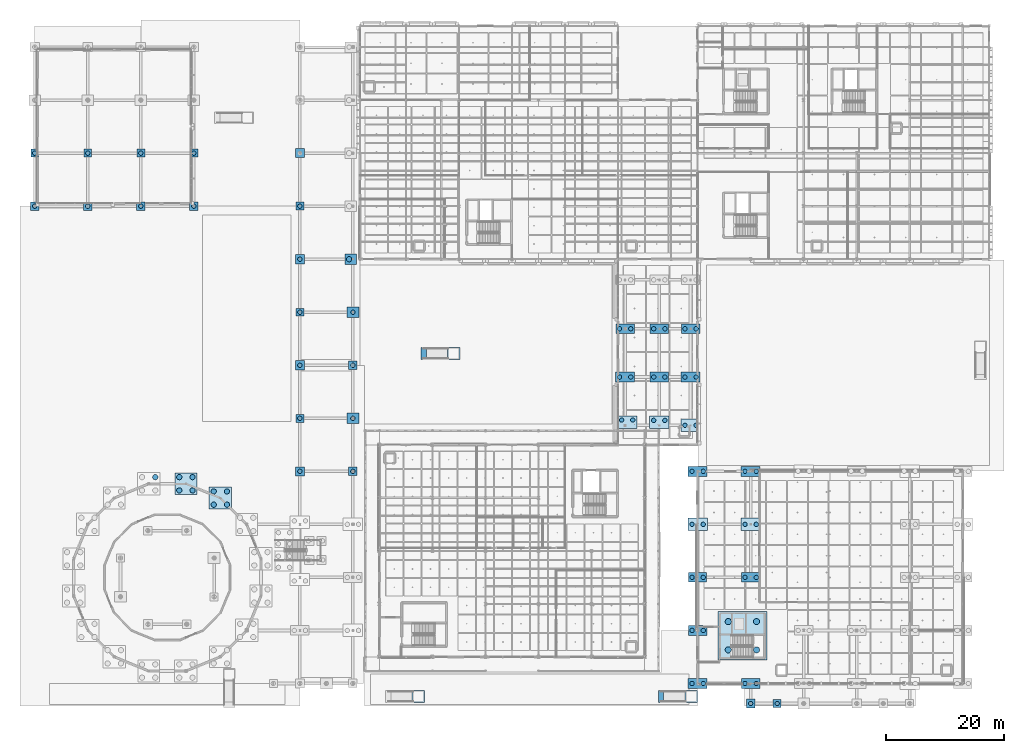
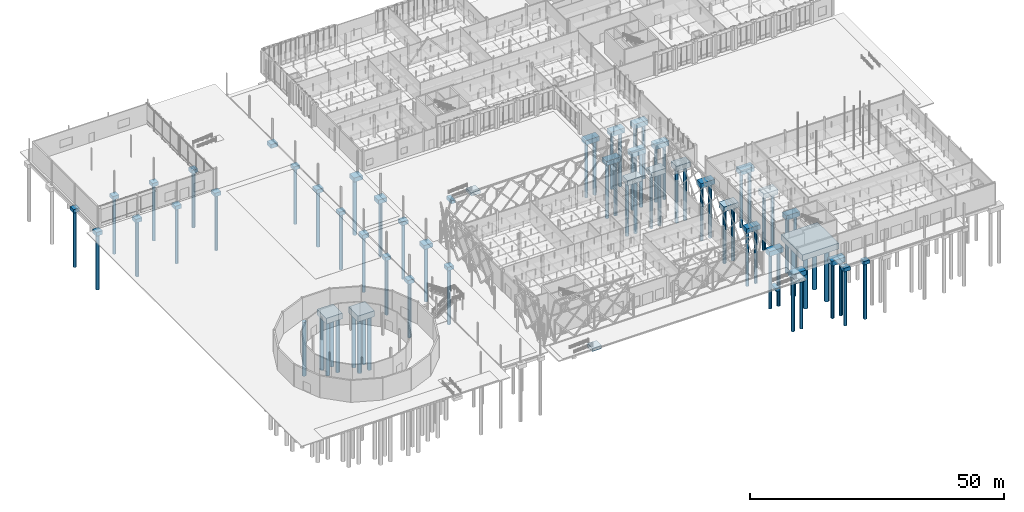
# One storey, part 2 of 180: 70 piles, 48 footings.
"""IFC4 building model written with IfcOpenShell, lengths in metres."""

from ifc_helpers import new_model, si_unit, direction, frame, origin, origin_2d, place, context, subcontext, project, spatial, rectangle, circle, extrude, material, material_profile, profile_set, type_object, element, save


model = new_model("IFC4")

# Units and contexts
model_context = context("Model", 3, precision=1e-05, world=origin(), true_north=direction((0.0, 1.0)))
body_context = subcontext(model_context, "Body", "Model", "MODEL_VIEW")
ifc_project = project(units=[si_unit("LENGTHUNIT", "METRE"), si_unit("AREAUNIT", "SQUARE_METRE"), si_unit("VOLUMEUNIT", "CUBIC_METRE"), si_unit("PLANEANGLEUNIT", "RADIAN"), si_unit("MASSUNIT", "GRAM", prefix="KILO"), si_unit("THERMODYNAMICTEMPERATUREUNIT", "KELVIN"), si_unit("POWERUNIT", "WATT")], contexts=[model_context])

# Site, building, storey
site_placement = place(None, origin())
site = spatial("IfcSite", under=ifc_project, at=site_placement, CompositionType="ELEMENT")
building_placement = place(site_placement, origin())
building = spatial("IfcBuilding", under=site, at=building_placement, Name="Tallowbark Science Centre", CompositionType="ELEMENT")
storey_placement = place(building_placement, origin())
storey = spatial("IfcBuildingStorey", under=building, at=storey_placement, Name="L00", CompositionType="ELEMENT", Elevation=0.0)

# Footings
ifc_material = material(Name="Concrete Grade N40 (40 MPa)", Category="concrete")
footing_type_1 = type_object("IfcFootingType", Name="FTG-CORE-C6", PredefinedType="PILE_CAP", material=ifc_material)
footing_1_placement = place(storey_placement, frame((120.10009765625, 8.10009765625, -1.639892578125), z_axis=(0.0, 0.0, 1.0), x_axis=(1.0, 0.0, 0.0)))
element("IfcFooting", 1, at=footing_1_placement, inside=storey, type_object=footing_type_1, Name="Core Mat Pile Cap C6", PredefinedType="PILE_CAP", context=body_context, shape_type="SweptSolid", body=[
    extrude(rectangle(XDim=8.300048828125, YDim=8.300048828125, at=origin_2d()), origin(), (0.0, 0.0, 1.0), 1.39990234375),
])
footing_type_2 = type_object("IfcFootingType", Name="FTG-PC1-130", PredefinedType="PILE_CAP", material=ifc_material)
for number, where, z_axis, x_axis, name in (
    (2, (45.0, 45.0, -1.110107421875), (0.0, 0.0, 1.0), (1.0, 0.0, 0.0), "Pile Cap PAS-W05"),
    (3, (45.0, 63.0, -1.110107421875), (0.0, 0.0, 1.0), (1.0, 0.0, 0.0), "Pile Cap PAS-W07"),
    (4, (45.0, 81.0, -1.110107421875), (0.0, 0.0, 1.0), (1.0, 0.0, 0.0), "Pile Cap PAS-W09"),
    (5, (126.0, -3.39990234375, -1.090087890625), (0.0, 0.0, 1.0), (1.0, 0.0, 0.0), "Pile Cap THT-POR-01"),
    (6, (0.0, 90.0, -1.110107421875), (0.0, 0.0, 1.0), (1.0, 0.0, 0.0), "Pile Cap PRK-0_1"),
    (7, (9.0, 90.0, -1.110107421875), (0.0, 0.0, 1.0), (1.0, 0.0, 0.0), "Pile Cap PRK-1_1"),
    (8, (18.0, 90.0, -1.110107421875), (0.0, 0.0, 1.0), (1.0, 0.0, 0.0), "Pile Cap PRK-2_1"),
    (9, (27.0, 90.0, -1.110107421875), (0.0, 0.0, 1.0), (1.0, 0.0, 0.0), "Pile Cap PRK-3_1"),
):
    element("IfcFooting", number, at=place(storey_placement, frame(where, z_axis=z_axis, x_axis=x_axis)), inside=storey, type_object=footing_type_2, Name=name, PredefinedType="PILE_CAP", context=body_context, shape_type="SweptSolid", body=[
        extrude(rectangle(XDim=1.35009765625, YDim=1.35009765625, at=origin_2d()), origin(), (0.0, 0.0, 1.0), 0.85009765625),
    ])
footing_type_3 = type_object("IfcFootingType", Name="FTG-PC1-140", PredefinedType="PILE_CAP", material=ifc_material)
for number, where, z_axis, x_axis, name in (
    (10, (54.0, 36.0, -1.159912109375), (0.0, 0.0, 1.0), (1.0, 0.0, 0.0), "Pile Cap PAS-E04"),
    (11, (54.0, 54.0, -1.159912109375), (0.0, 0.0, 1.0), (1.0, 0.0, 0.0), "Pile Cap PAS-E06"),
    (12, (121.5, -3.39990234375, -1.139892578125), (0.0, 0.0, 1.0), (1.0, 0.0, 0.0), "Pile Cap THT-POR-00"),
    (13, (0.0, 81.0, -1.159912109375), (0.0, 0.0, 1.0), (1.0, 0.0, 0.0), "Pile Cap PRK-0_0"),
    (14, (9.0, 81.0, -1.159912109375), (0.0, 0.0, 1.0), (1.0, 0.0, 0.0), "Pile Cap PRK-1_0"),
    (15, (18.0, 81.0, -1.159912109375), (0.0, 0.0, 1.0), (1.0, 0.0, 0.0), "Pile Cap PRK-2_0"),
    (16, (27.0, 81.0, -1.159912109375), (0.0, 0.0, 1.0), (1.0, 0.0, 0.0), "Pile Cap PRK-3_0"),
):
    element("IfcFooting", number, at=place(storey_placement, frame(where, z_axis=z_axis, x_axis=x_axis)), inside=storey, type_object=footing_type_3, Name=name, PredefinedType="PILE_CAP", context=body_context, shape_type="SweptSolid", body=[
        extrude(rectangle(XDim=1.449951171875, YDim=1.449951171875, at=origin_2d()), origin(), (0.0, 0.0, 1.0), 0.89990234375),
    ])
footing_type_4 = type_object("IfcFootingType", Name="FTG-PC1-150", PredefinedType="PILE_CAP", material=ifc_material)
for number, where, z_axis, x_axis, name in (
    (17, (45.0, 36.0, -1.2099609375), (0.0, 0.0, 1.0), (1.0, 0.0, 0.0), "Pile Cap PAS-W04"),
    (18, (45.0, 54.0, -1.2099609375), (0.0, 0.0, 1.0), (1.0, 0.0, 0.0), "Pile Cap PAS-W06"),
    (19, (45.0, 72.0, -1.2099609375), (0.0, 0.0, 1.0), (1.0, 0.0, 0.0), "Pile Cap PAS-W08"),
    (20, (45.0, 90.0, -1.2099609375), (0.0, 0.0, 1.0), (1.0, 0.0, 0.0), "Pile Cap PAS-W10"),
):
    element("IfcFooting", number, at=place(storey_placement, frame(where, z_axis=z_axis, x_axis=x_axis)), inside=storey, type_object=footing_type_4, Name=name, PredefinedType="PILE_CAP", context=body_context, shape_type="SweptSolid", body=[
        extrude(rectangle(XDim=1.550048828125, YDim=1.550048828125, at=origin_2d()), origin(), (0.0, 0.0, 1.0), 0.949951171875),
    ])
footing_type_5 = type_object("IfcFootingType", Name="FTG-PC1-160", PredefinedType="PILE_CAP", material=ifc_material)
for number, where, z_axis, x_axis, name in (
    (21, (54.0, 45.0, -1.260009765625), (0.0, 0.0, 1.0), (1.0, 0.0, 0.0), "Pile Cap PAS-E05"),
    (22, (54.0, 63.0, -1.260009765625), (0.0, 0.0, 1.0), (1.0, 0.0, 0.0), "Pile Cap PAS-E07"),
    (23, (53.64990234375, 72.0, -1.260009765625), (0.0, 0.0, 1.0), (1.0, 0.0, 0.0), "Pile Cap PAS-E08"),
):
    element("IfcFooting", number, at=place(storey_placement, frame(where, z_axis=z_axis, x_axis=x_axis)), inside=storey, type_object=footing_type_5, Name=name, PredefinedType="PILE_CAP", context=body_context, shape_type="SweptSolid", body=[
        extrude(rectangle(XDim=2.0, YDim=1.800048828125, at=origin_2d()), origin(), (0.0, 0.0, 1.0), 1.0),
    ])
footing_type_6 = type_object("IfcFootingType", Name="FTG-PC2-230", PredefinedType="PILE_CAP", material=ifc_material)
for number, where, z_axis, x_axis, name in (
    (24, (112.5, 18.0, -1.340087890625), (0.0, 0.0, 1.0), (1.0, 0.0, 0.0), "Pile Cap THT-M0_2"),
    (25, (121.5, 18.0, -1.340087890625), (0.0, 0.0, 1.0), (1.0, 0.0, 0.0), "Pile Cap THT-M1_2"),
):
    element("IfcFooting", number, at=place(storey_placement, frame(where, z_axis=z_axis, x_axis=x_axis)), inside=storey, type_object=footing_type_6, Name=name, PredefinedType="PILE_CAP", context=body_context, shape_type="SweptSolid", body=[
        extrude(rectangle(XDim=3.10009765625, YDim=1.60009765625, at=origin_2d()), origin(), (0.0, 0.0, 1.0), 1.10009765625),
    ])
footing_type_7 = type_object("IfcFootingType", Name="FTG-PC2-240", PredefinedType="PILE_CAP", material=ifc_material)
for number, where, z_axis, x_axis, name in (
    (26, (112.5, 9.0, -1.389892578125), (0.0, 0.0, 1.0), (1.0, 0.0, 0.0), "Pile Cap THT-M0_1"),
    (27, (121.5, 0.0, -1.389892578125), (0.0, 0.0, 1.0), (1.0, 0.0, 0.0), "Pile Cap THT-M1_0"),
    (28, (100.199951171875, 60.199951171875, -1.389892578125), (0.0, 0.0, 1.0), (1.0, 0.0, 0.0), "Pile Cap LNK-0_2"),
    (29, (106.0, 60.199951171875, -1.389892578125), (0.0, 0.0, 1.0), (1.0, 0.0, 0.0), "Pile Cap LNK-1_2"),
    (30, (111.300048828125, 60.199951171875, -1.389892578125), (0.0, 0.0, 1.0), (1.0, 0.0, 0.0), "Pile Cap LNK-2_2"),
):
    element("IfcFooting", number, at=place(storey_placement, frame(where, z_axis=z_axis, x_axis=x_axis)), inside=storey, type_object=footing_type_7, Name=name, PredefinedType="PILE_CAP", context=body_context, shape_type="SweptSolid", body=[
        extrude(rectangle(XDim=3.14990234375, YDim=1.64990234375, at=origin_2d()), origin(), (0.0, 0.0, 1.0), 1.14990234375),
    ])
footing_type_8 = type_object("IfcFootingType", Name="FTG-PC2-250", PredefinedType="PILE_CAP", material=ifc_material)
for number, where, z_axis, x_axis, name in (
    (31, (112.5, 0.0, -1.389892578125), (0.0, 0.0, 1.0), (1.0, 0.0, 0.0), "Pile Cap THT-M0_0"),
    (32, (112.5, 36.0, -1.389892578125), (0.0, 0.0, 1.0), (1.0, 0.0, 0.0), "Pile Cap THT-M0_4"),
    (33, (121.5, 36.0, -1.389892578125), (0.0, 0.0, 1.0), (1.0, 0.0, 0.0), "Pile Cap THT-M1_4"),
    (34, (100.199951171875, 52.0, -1.389892578125), (0.0, 0.0, 1.0), (1.0, 0.0, 0.0), "Pile Cap LNK-0_1"),
    (35, (106.0, 52.0, -1.389892578125), (0.0, 0.0, 1.0), (1.0, 0.0, 0.0), "Pile Cap LNK-1_1"),
    (36, (111.300048828125, 52.0, -1.389892578125), (0.0, 0.0, 1.0), (1.0, 0.0, 0.0), "Pile Cap LNK-2_1"),
):
    element("IfcFooting", number, at=place(storey_placement, frame(where, z_axis=z_axis, x_axis=x_axis)), inside=storey, type_object=footing_type_8, Name=name, PredefinedType="PILE_CAP", context=body_context, shape_type="SweptSolid", body=[
        extrude(rectangle(XDim=3.199951171875, YDim=1.699951171875, at=origin_2d()), origin(), (0.0, 0.0, 1.0), 1.14990234375),
    ])
footing_type_9 = type_object("IfcFootingType", Name="FTG-PC2-260", PredefinedType="PILE_CAP", material=ifc_material)
for number, where, z_axis, x_axis, name in (
    (37, (112.5, 27.0, -1.43994140625), (0.0, 0.0, 1.0), (1.0, 0.0, 0.0), "Pile Cap THT-M0_3"),
    (38, (121.5, 27.0, -1.43994140625), (0.0, 0.0, 1.0), (1.0, 0.0, 0.0), "Pile Cap THT-M1_3"),
    (39, (100.550048828125, 44.35009765625, -1.43994140625), (0.0, 0.0, 1.0), (1.0, 0.0, 0.0), "Pile Cap LNK-0_0"),
    (40, (106.0, 44.35009765625, -1.43994140625), (0.0, 0.0, 1.0), (1.0, 0.0, 0.0), "Pile Cap LNK-1_0"),
    (41, (111.300048828125, 43.800048828125, -1.43994140625), (0.0, 0.0, 1.0), (1.0, 0.0, 0.0), "Pile Cap LNK-2_0"),
):
    element("IfcFooting", number, at=place(storey_placement, frame(where, z_axis=z_axis, x_axis=x_axis)), inside=storey, type_object=footing_type_9, Name=name, PredefinedType="PILE_CAP", context=body_context, shape_type="SweptSolid", body=[
        extrude(rectangle(XDim=3.300048828125, YDim=2.10009765625, at=origin_2d()), origin(), (0.0, 0.0, 1.0), 1.199951171875),
    ])
footing_type_10 = type_object("IfcFootingType", Name="FTG-PC4-270", PredefinedType="PILE_CAP", material=ifc_material)
footing_2_placement = place(storey_placement, frame((25.660400390625, 33.888671875, -1.590087890625), z_axis=(0.0, 0.0, 1.0), x_axis=(1.0, 0.0, 0.0)))
element("IfcFooting", 42, at=footing_2_placement, inside=storey, type_object=footing_type_10, Name="Pile Cap DRM-P04", PredefinedType="PILE_CAP", context=body_context, shape_type="SweptSolid", body=[
    extrude(rectangle(XDim=3.699951171875, YDim=3.699951171875, at=origin_2d()), origin(), (0.0, 0.0, 1.0), 1.35009765625),
])
footing_type_11 = type_object("IfcFootingType", Name="FTG-PC4-280", PredefinedType="PILE_CAP", material=ifc_material)
footing_3_placement = place(storey_placement, frame((31.500244140625, 31.4697265625, -1.639892578125), z_axis=(0.0, 0.0, 1.0), x_axis=(1.0, 0.0, 0.0)))
element("IfcFooting", 43, at=footing_3_placement, inside=storey, type_object=footing_type_11, Name="Pile Cap DRM-P03", PredefinedType="PILE_CAP", context=body_context, shape_type="SweptSolid", body=[
    extrude(rectangle(XDim=3.800048828125, YDim=3.800048828125, at=origin_2d()), origin(), (0.0, 0.0, 1.0), 1.39990234375),
])
footing_type_12 = type_object("IfcFootingType", Name="FTG-STR-900", PredefinedType="STRIP_FOOTING", material=ifc_material)
footing_4_placement = place(storey_placement, frame((65.10009765625, -2.199951171875, -0.909912109375), z_axis=(0.0, 0.0, 1.0), x_axis=(1.0, 0.0, 0.0)))
element("IfcFooting", 44, at=footing_4_placement, inside=storey, type_object=footing_type_12, Name="Ramp Landing Footing RMP-01", PredefinedType="STRIP_FOOTING", context=body_context, shape_type="SweptSolid", body=[
    extrude(rectangle(XDim=2.10009765625, YDim=2.0, at=origin_2d()), origin(), (0.0, 0.0, 1.0), 0.75),
])
footing_5_placement = place(storey_placement, frame((106.300048828125, -2.199951171875, -1.22998046875), z_axis=(0.0, 0.0, 1.0), x_axis=(0.0, 1.0, 0.0)))
element("IfcFooting", 45, at=footing_5_placement, inside=storey, type_object=footing_type_12, Name="Ramp Toe Footing RMP-04", PredefinedType="STRIP_FOOTING", context=body_context, shape_type="SweptSolid", body=[
    extrude(rectangle(XDim=2.0, YDim=0.89990234375, at=origin_2d()), origin(), (0.0, 0.0, 1.0), 0.75),
])
footing_6_placement = place(storey_placement, frame((111.39990234375, -2.199951171875, -0.909912109375), z_axis=(0.0, 0.0, 1.0), x_axis=(1.0, 0.0, 0.0)))
element("IfcFooting", 46, at=footing_6_placement, inside=storey, type_object=footing_type_12, Name="Ramp Landing Footing RMP-04", PredefinedType="STRIP_FOOTING", context=body_context, shape_type="SweptSolid", body=[
    extrude(rectangle(XDim=2.10009765625, YDim=2.0, at=origin_2d()), origin(), (0.0, 0.0, 1.0), 0.75),
])
footing_7_placement = place(storey_placement, frame((66.0, 56.0, -1.22998046875), z_axis=(0.0, 0.0, 1.0), x_axis=(0.0, 1.0, 0.0)))
element("IfcFooting", 47, at=footing_7_placement, inside=storey, type_object=footing_type_12, Name="Ramp Toe Footing RMP-05", PredefinedType="STRIP_FOOTING", context=body_context, shape_type="SweptSolid", body=[
    extrude(rectangle(XDim=2.0, YDim=0.89990234375, at=origin_2d()), origin(), (0.0, 0.0, 1.0), 0.75),
])
footing_8_placement = place(storey_placement, frame((71.10009765625, 56.0, -0.909912109375), z_axis=(0.0, 0.0, 1.0), x_axis=(1.0, 0.0, 0.0)))
element("IfcFooting", 48, at=footing_8_placement, inside=storey, type_object=footing_type_12, Name="Ramp Landing Footing RMP-05", PredefinedType="STRIP_FOOTING", context=body_context, shape_type="SweptSolid", body=[
    extrude(rectangle(XDim=2.10009765625, YDim=2.0, at=origin_2d()), origin(), (0.0, 0.0, 1.0), 0.75),
])

# Piles
ifc_material_profile_1 = material_profile(ifc_material, circle(Radius=0.52490234375, at=origin_2d()), Name="PILE1050")
ifc_profile_set_1 = profile_set([ifc_material_profile_1], Name="Concrete Grade N40 (40 MPa)")
pile_type_1 = type_object("IfcPileType", Name="PIL-B1050", PredefinedType="BORED", material=ifc_profile_set_1)
for number, where, z_axis, x_axis, name in (
    (49, (117.699951171875, 5.699951171875, -1.489990234375), (0.0, 0.0, -1.0), (1.0, 0.0, 0.0), "Core Bored Pile C6-1"),
    (50, (122.5, 5.699951171875, -1.489990234375), (0.0, 0.0, -1.0), (1.0, 0.0, 0.0), "Core Bored Pile C6-2"),
    (51, (117.699951171875, 10.5, -1.489990234375), (0.0, 0.0, -1.0), (1.0, 0.0, 0.0), "Core Bored Pile C6-3"),
    (52, (122.5, 10.5, -1.489990234375), (0.0, 0.0, -1.0), (1.0, 0.0, 0.0), "Core Bored Pile C6-4"),
):
    element("IfcPile", number, at=place(storey_placement, frame(where, z_axis=z_axis, x_axis=x_axis)), inside=storey, type_object=pile_type_1, Name=name, PredefinedType="BORED", context=body_context, shape_type="SweptSolid", body=[
        extrude(circle(Radius=0.52490234375, at=origin_2d()), origin(), (0.0, 0.0, 1.0), 13.010009765625),
    ])
ifc_material_profile_2 = material_profile(ifc_material, circle(Radius=0.375, at=origin_2d()), Name="PILE750")
ifc_profile_set_2 = profile_set([ifc_material_profile_2], Name="Concrete Grade N40 (40 MPa)")
pile_type_2 = type_object("IfcPileType", Name="PIL-B750", PredefinedType="BORED", material=ifc_profile_set_2)
pile_1_placement = place(storey_placement, frame((45.0, 36.0, -1.06005859375), z_axis=(0.0, 0.0, -1.0), x_axis=(1.0, 0.0, 0.0)))
element("IfcPile", 53, at=pile_1_placement, inside=storey, type_object=pile_type_2, Name="Bored Pile PAS-W04-1", PredefinedType="BORED", context=body_context, shape_type="SweptSolid", body=[
    extrude(circle(Radius=0.375, at=origin_2d()), origin(), (0.0, 0.0, 1.0), 13.43994140625),
])
pile_2_placement = place(storey_placement, frame((54.0, 36.0, -1.010009765625), z_axis=(0.0, 0.0, -1.0), x_axis=(1.0, 0.0, 0.0)))
element("IfcPile", 54, at=pile_2_placement, inside=storey, type_object=pile_type_2, Name="Bored Pile PAS-E04-1", PredefinedType="BORED", context=body_context, shape_type="SweptSolid", body=[
    extrude(circle(Radius=0.375, at=origin_2d()), origin(), (0.0, 0.0, 1.0), 13.489990234375),
])
pile_3_placement = place(storey_placement, frame((45.0, 45.0, -0.9599609375), z_axis=(0.0, 0.0, -1.0), x_axis=(1.0, 0.0, 0.0)))
element("IfcPile", 55, at=pile_3_placement, inside=storey, type_object=pile_type_2, Name="Bored Pile PAS-W05-1", PredefinedType="BORED", context=body_context, shape_type="SweptSolid", body=[
    extrude(circle(Radius=0.375, at=origin_2d()), origin(), (0.0, 0.0, 1.0), 13.5400390625),
])
pile_4_placement = place(storey_placement, frame((54.0, 45.0, -1.110107421875), z_axis=(0.0, 0.0, -1.0), x_axis=(1.0, 0.0, 0.0)))
element("IfcPile", 56, at=pile_4_placement, inside=storey, type_object=pile_type_2, Name="Bored Pile PAS-E05-1", PredefinedType="BORED", context=body_context, shape_type="SweptSolid", body=[
    extrude(circle(Radius=0.375, at=origin_2d()), origin(), (0.0, 0.0, 1.0), 13.389892578125),
])
pile_5_placement = place(storey_placement, frame((45.0, 54.0, -1.06005859375), z_axis=(0.0, 0.0, -1.0), x_axis=(1.0, 0.0, 0.0)))
element("IfcPile", 57, at=pile_5_placement, inside=storey, type_object=pile_type_2, Name="Bored Pile PAS-W06-1", PredefinedType="BORED", context=body_context, shape_type="SweptSolid", body=[
    extrude(circle(Radius=0.375, at=origin_2d()), origin(), (0.0, 0.0, 1.0), 13.43994140625),
])
pile_6_placement = place(storey_placement, frame((54.0, 54.0, -1.010009765625), z_axis=(0.0, 0.0, -1.0), x_axis=(1.0, 0.0, 0.0)))
element("IfcPile", 58, at=pile_6_placement, inside=storey, type_object=pile_type_2, Name="Bored Pile PAS-E06-1", PredefinedType="BORED", context=body_context, shape_type="SweptSolid", body=[
    extrude(circle(Radius=0.375, at=origin_2d()), origin(), (0.0, 0.0, 1.0), 13.489990234375),
])
pile_7_placement = place(storey_placement, frame((45.0, 63.0, -0.9599609375), z_axis=(0.0, 0.0, -1.0), x_axis=(1.0, 0.0, 0.0)))
element("IfcPile", 59, at=pile_7_placement, inside=storey, type_object=pile_type_2, Name="Bored Pile PAS-W07-1", PredefinedType="BORED", context=body_context, shape_type="SweptSolid", body=[
    extrude(circle(Radius=0.375, at=origin_2d()), origin(), (0.0, 0.0, 1.0), 13.5400390625),
])
pile_8_placement = place(storey_placement, frame((54.0, 63.0, -1.110107421875), z_axis=(0.0, 0.0, -1.0), x_axis=(1.0, 0.0, 0.0)))
element("IfcPile", 60, at=pile_8_placement, inside=storey, type_object=pile_type_2, Name="Bored Pile PAS-E07-1", PredefinedType="BORED", context=body_context, shape_type="SweptSolid", body=[
    extrude(circle(Radius=0.375, at=origin_2d()), origin(), (0.0, 0.0, 1.0), 13.389892578125),
])
pile_9_placement = place(storey_placement, frame((45.0, 72.0, -1.06005859375), z_axis=(0.0, 0.0, -1.0), x_axis=(1.0, 0.0, 0.0)))
element("IfcPile", 61, at=pile_9_placement, inside=storey, type_object=pile_type_2, Name="Bored Pile PAS-W08-1", PredefinedType="BORED", context=body_context, shape_type="SweptSolid", body=[
    extrude(circle(Radius=0.375, at=origin_2d()), origin(), (0.0, 0.0, 1.0), 13.43994140625),
])
pile_10_placement = place(storey_placement, frame((45.0, 81.0, -0.9599609375), z_axis=(0.0, 0.0, -1.0), x_axis=(1.0, 0.0, 0.0)))
element("IfcPile", 62, at=pile_10_placement, inside=storey, type_object=pile_type_2, Name="Bored Pile PAS-W09-1", PredefinedType="BORED", context=body_context, shape_type="SweptSolid", body=[
    extrude(circle(Radius=0.375, at=origin_2d()), origin(), (0.0, 0.0, 1.0), 13.5400390625),
])
for number, where, z_axis, x_axis, name in (
    (63, (111.550048828125, 0.0, -1.239990234375), (0.0, 0.0, -1.0), (1.0, 0.0, 0.0), "Bored Pile THT-M0_0-1"),
    (64, (113.449951171875, 0.0, -1.239990234375), (0.0, 0.0, -1.0), (1.0, 0.0, 0.0), "Bored Pile THT-M0_0-2"),
    (65, (111.550048828125, 9.0, -1.239990234375), (0.0, 0.0, -1.0), (1.0, 0.0, 0.0), "Bored Pile THT-M0_1-1"),
    (66, (113.449951171875, 9.0, -1.239990234375), (0.0, 0.0, -1.0), (1.0, 0.0, 0.0), "Bored Pile THT-M0_1-2"),
):
    element("IfcPile", number, at=place(storey_placement, frame(where, z_axis=z_axis, x_axis=x_axis)), inside=storey, type_object=pile_type_2, Name=name, PredefinedType="BORED", context=body_context, shape_type="SweptSolid", body=[
        extrude(circle(Radius=0.375, at=origin_2d()), origin(), (0.0, 0.0, 1.0), 13.260009765625),
    ])
for number, where, z_axis, x_axis, name in (
    (67, (111.550048828125, 18.0, -1.18994140625), (0.0, 0.0, -1.0), (1.0, 0.0, 0.0), "Bored Pile THT-M0_2-1"),
    (68, (113.449951171875, 18.0, -1.18994140625), (0.0, 0.0, -1.0), (1.0, 0.0, 0.0), "Bored Pile THT-M0_2-2"),
):
    element("IfcPile", number, at=place(storey_placement, frame(where, z_axis=z_axis, x_axis=x_axis)), inside=storey, type_object=pile_type_2, Name=name, PredefinedType="BORED", context=body_context, shape_type="SweptSolid", body=[
        extrude(circle(Radius=0.375, at=origin_2d()), origin(), (0.0, 0.0, 1.0), 13.31005859375),
    ])
for number, where, z_axis, x_axis, name in (
    (69, (111.550048828125, 27.0, -1.2900390625), (0.0, 0.0, -1.0), (1.0, 0.0, 0.0), "Bored Pile THT-M0_3-1"),
    (70, (113.449951171875, 27.0, -1.2900390625), (0.0, 0.0, -1.0), (1.0, 0.0, 0.0), "Bored Pile THT-M0_3-2"),
):
    element("IfcPile", number, at=place(storey_placement, frame(where, z_axis=z_axis, x_axis=x_axis)), inside=storey, type_object=pile_type_2, Name=name, PredefinedType="BORED", context=body_context, shape_type="SweptSolid", body=[
        extrude(circle(Radius=0.375, at=origin_2d()), origin(), (0.0, 0.0, 1.0), 13.2099609375),
    ])
for number, where, z_axis, x_axis, name in (
    (71, (111.550048828125, 36.0, -1.239990234375), (0.0, 0.0, -1.0), (1.0, 0.0, 0.0), "Bored Pile THT-M0_4-1"),
    (72, (113.449951171875, 36.0, -1.239990234375), (0.0, 0.0, -1.0), (1.0, 0.0, 0.0), "Bored Pile THT-M0_4-2"),
    (73, (120.550048828125, 0.0, -1.239990234375), (0.0, 0.0, -1.0), (1.0, 0.0, 0.0), "Bored Pile THT-M1_0-1"),
    (74, (122.449951171875, 0.0, -1.239990234375), (0.0, 0.0, -1.0), (1.0, 0.0, 0.0), "Bored Pile THT-M1_0-2"),
):
    element("IfcPile", number, at=place(storey_placement, frame(where, z_axis=z_axis, x_axis=x_axis)), inside=storey, type_object=pile_type_2, Name=name, PredefinedType="BORED", context=body_context, shape_type="SweptSolid", body=[
        extrude(circle(Radius=0.375, at=origin_2d()), origin(), (0.0, 0.0, 1.0), 13.260009765625),
    ])
for number, where, z_axis, x_axis, name in (
    (75, (120.550048828125, 18.0, -1.18994140625), (0.0, 0.0, -1.0), (1.0, 0.0, 0.0), "Bored Pile THT-M1_2-1"),
    (76, (122.449951171875, 18.0, -1.18994140625), (0.0, 0.0, -1.0), (1.0, 0.0, 0.0), "Bored Pile THT-M1_2-2"),
):
    element("IfcPile", number, at=place(storey_placement, frame(where, z_axis=z_axis, x_axis=x_axis)), inside=storey, type_object=pile_type_2, Name=name, PredefinedType="BORED", context=body_context, shape_type="SweptSolid", body=[
        extrude(circle(Radius=0.375, at=origin_2d()), origin(), (0.0, 0.0, 1.0), 13.31005859375),
    ])
for number, where, z_axis, x_axis, name in (
    (77, (120.550048828125, 27.0, -1.2900390625), (0.0, 0.0, -1.0), (1.0, 0.0, 0.0), "Bored Pile THT-M1_3-1"),
    (78, (122.449951171875, 27.0, -1.2900390625), (0.0, 0.0, -1.0), (1.0, 0.0, 0.0), "Bored Pile THT-M1_3-2"),
):
    element("IfcPile", number, at=place(storey_placement, frame(where, z_axis=z_axis, x_axis=x_axis)), inside=storey, type_object=pile_type_2, Name=name, PredefinedType="BORED", context=body_context, shape_type="SweptSolid", body=[
        extrude(circle(Radius=0.375, at=origin_2d()), origin(), (0.0, 0.0, 1.0), 13.2099609375),
    ])
for number, where, z_axis, x_axis, name in (
    (79, (120.550048828125, 36.0, -1.239990234375), (0.0, 0.0, -1.0), (1.0, 0.0, 0.0), "Bored Pile THT-M1_4-1"),
    (80, (122.449951171875, 36.0, -1.239990234375), (0.0, 0.0, -1.0), (1.0, 0.0, 0.0), "Bored Pile THT-M1_4-2"),
):
    element("IfcPile", number, at=place(storey_placement, frame(where, z_axis=z_axis, x_axis=x_axis)), inside=storey, type_object=pile_type_2, Name=name, PredefinedType="BORED", context=body_context, shape_type="SweptSolid", body=[
        extrude(circle(Radius=0.375, at=origin_2d()), origin(), (0.0, 0.0, 1.0), 13.260009765625),
    ])
pile_11_placement = place(storey_placement, frame((121.5, -3.39990234375, -0.989990234375), z_axis=(0.0, 0.0, -1.0), x_axis=(1.0, 0.0, 0.0)))
element("IfcPile", 81, at=pile_11_placement, inside=storey, type_object=pile_type_2, Name="Bored Pile THT-POR-00-1", PredefinedType="BORED", context=body_context, shape_type="SweptSolid", body=[
    extrude(circle(Radius=0.375, at=origin_2d()), origin(), (0.0, 0.0, 1.0), 13.510009765625),
])
pile_12_placement = place(storey_placement, frame((126.0, -3.39990234375, -0.93994140625), z_axis=(0.0, 0.0, -1.0), x_axis=(1.0, 0.0, 0.0)))
element("IfcPile", 82, at=pile_12_placement, inside=storey, type_object=pile_type_2, Name="Bored Pile THT-POR-01-1", PredefinedType="BORED", context=body_context, shape_type="SweptSolid", body=[
    extrude(circle(Radius=0.375, at=origin_2d()), origin(), (0.0, 0.0, 1.0), 13.56005859375),
])
for number, where, z_axis, x_axis, name in (
    (83, (99.60009765625, 44.7099609375, -1.2900390625), (0.0, 0.0, -1.0), (1.0, 0.0, 0.0), "Bored Pile LNK-0_0-1"),
    (84, (101.5, 44.7099609375, -1.2900390625), (0.0, 0.0, -1.0), (1.0, 0.0, 0.0), "Bored Pile LNK-0_0-2"),
):
    element("IfcPile", number, at=place(storey_placement, frame(where, z_axis=z_axis, x_axis=x_axis)), inside=storey, type_object=pile_type_2, Name=name, PredefinedType="BORED", context=body_context, shape_type="SweptSolid", body=[
        extrude(circle(Radius=0.375, at=origin_2d()), origin(), (0.0, 0.0, 1.0), 13.2099609375),
    ])
for number, where, z_axis, x_axis, name in (
    (85, (99.25, 52.0, -1.239990234375), (0.0, 0.0, -1.0), (1.0, 0.0, 0.0), "Bored Pile LNK-0_1-1"),
    (86, (101.14990234375, 52.0, -1.239990234375), (0.0, 0.0, -1.0), (1.0, 0.0, 0.0), "Bored Pile LNK-0_1-2"),
    (87, (99.25, 60.199951171875, -1.239990234375), (0.0, 0.0, -1.0), (1.0, 0.0, 0.0), "Bored Pile LNK-0_2-1"),
    (88, (101.14990234375, 60.199951171875, -1.239990234375), (0.0, 0.0, -1.0), (1.0, 0.0, 0.0), "Bored Pile LNK-0_2-2"),
):
    element("IfcPile", number, at=place(storey_placement, frame(where, z_axis=z_axis, x_axis=x_axis)), inside=storey, type_object=pile_type_2, Name=name, PredefinedType="BORED", context=body_context, shape_type="SweptSolid", body=[
        extrude(circle(Radius=0.375, at=origin_2d()), origin(), (0.0, 0.0, 1.0), 13.260009765625),
    ])
for number, where, z_axis, x_axis, name in (
    (89, (105.050048828125, 44.64990234375, -1.2900390625), (0.0, 0.0, -1.0), (1.0, 0.0, 0.0), "Bored Pile LNK-1_0-1"),
    (90, (106.949951171875, 44.64990234375, -1.2900390625), (0.0, 0.0, -1.0), (1.0, 0.0, 0.0), "Bored Pile LNK-1_0-2"),
):
    element("IfcPile", number, at=place(storey_placement, frame(where, z_axis=z_axis, x_axis=x_axis)), inside=storey, type_object=pile_type_2, Name=name, PredefinedType="BORED", context=body_context, shape_type="SweptSolid", body=[
        extrude(circle(Radius=0.375, at=origin_2d()), origin(), (0.0, 0.0, 1.0), 13.2099609375),
    ])
for number, where, z_axis, x_axis, name in (
    (91, (105.050048828125, 52.0, -1.239990234375), (0.0, 0.0, -1.0), (1.0, 0.0, 0.0), "Bored Pile LNK-1_1-1"),
    (92, (106.949951171875, 52.0, -1.239990234375), (0.0, 0.0, -1.0), (1.0, 0.0, 0.0), "Bored Pile LNK-1_1-2"),
    (93, (105.050048828125, 60.199951171875, -1.239990234375), (0.0, 0.0, -1.0), (1.0, 0.0, 0.0), "Bored Pile LNK-1_2-1"),
    (94, (106.949951171875, 60.199951171875, -1.239990234375), (0.0, 0.0, -1.0), (1.0, 0.0, 0.0), "Bored Pile LNK-1_2-2"),
):
    element("IfcPile", number, at=place(storey_placement, frame(where, z_axis=z_axis, x_axis=x_axis)), inside=storey, type_object=pile_type_2, Name=name, PredefinedType="BORED", context=body_context, shape_type="SweptSolid", body=[
        extrude(circle(Radius=0.375, at=origin_2d()), origin(), (0.0, 0.0, 1.0), 13.260009765625),
    ])
for number, where, z_axis, x_axis, name in (
    (95, (110.35009765625, 43.800048828125, -1.2900390625), (0.0, 0.0, -1.0), (1.0, 0.0, 0.0), "Bored Pile LNK-2_0-1"),
    (96, (112.25, 43.800048828125, -1.2900390625), (0.0, 0.0, -1.0), (1.0, 0.0, 0.0), "Bored Pile LNK-2_0-2"),
):
    element("IfcPile", number, at=place(storey_placement, frame(where, z_axis=z_axis, x_axis=x_axis)), inside=storey, type_object=pile_type_2, Name=name, PredefinedType="BORED", context=body_context, shape_type="SweptSolid", body=[
        extrude(circle(Radius=0.375, at=origin_2d()), origin(), (0.0, 0.0, 1.0), 13.2099609375),
    ])
for number, where, z_axis, x_axis, name in (
    (97, (110.35009765625, 52.0, -1.239990234375), (0.0, 0.0, -1.0), (1.0, 0.0, 0.0), "Bored Pile LNK-2_1-1"),
    (98, (112.25, 52.0, -1.239990234375), (0.0, 0.0, -1.0), (1.0, 0.0, 0.0), "Bored Pile LNK-2_1-2"),
    (99, (110.35009765625, 60.199951171875, -1.239990234375), (0.0, 0.0, -1.0), (1.0, 0.0, 0.0), "Bored Pile LNK-2_2-1"),
    (100, (112.25, 60.199951171875, -1.239990234375), (0.0, 0.0, -1.0), (1.0, 0.0, 0.0), "Bored Pile LNK-2_2-2"),
):
    element("IfcPile", number, at=place(storey_placement, frame(where, z_axis=z_axis, x_axis=x_axis)), inside=storey, type_object=pile_type_2, Name=name, PredefinedType="BORED", context=body_context, shape_type="SweptSolid", body=[
        extrude(circle(Radius=0.375, at=origin_2d()), origin(), (0.0, 0.0, 1.0), 13.260009765625),
    ])
pile_13_placement = place(storey_placement, frame((0.0, 81.0, -1.010009765625), z_axis=(0.0, 0.0, -1.0), x_axis=(1.0, 0.0, 0.0)))
element("IfcPile", 101, at=pile_13_placement, inside=storey, type_object=pile_type_2, Name="Bored Pile PRK-0_0-1", PredefinedType="BORED", context=body_context, shape_type="SweptSolid", body=[
    extrude(circle(Radius=0.375, at=origin_2d()), origin(), (0.0, 0.0, 1.0), 13.489990234375),
])
pile_14_placement = place(storey_placement, frame((0.0, 90.0, -0.9599609375), z_axis=(0.0, 0.0, -1.0), x_axis=(1.0, 0.0, 0.0)))
element("IfcPile", 102, at=pile_14_placement, inside=storey, type_object=pile_type_2, Name="Bored Pile PRK-0_1-1", PredefinedType="BORED", context=body_context, shape_type="SweptSolid", body=[
    extrude(circle(Radius=0.375, at=origin_2d()), origin(), (0.0, 0.0, 1.0), 13.5400390625),
])
pile_15_placement = place(storey_placement, frame((9.0, 81.0, -1.010009765625), z_axis=(0.0, 0.0, -1.0), x_axis=(1.0, 0.0, 0.0)))
element("IfcPile", 103, at=pile_15_placement, inside=storey, type_object=pile_type_2, Name="Bored Pile PRK-1_0-1", PredefinedType="BORED", context=body_context, shape_type="SweptSolid", body=[
    extrude(circle(Radius=0.375, at=origin_2d()), origin(), (0.0, 0.0, 1.0), 13.489990234375),
])
pile_16_placement = place(storey_placement, frame((9.0, 90.0, -0.9599609375), z_axis=(0.0, 0.0, -1.0), x_axis=(1.0, 0.0, 0.0)))
element("IfcPile", 104, at=pile_16_placement, inside=storey, type_object=pile_type_2, Name="Bored Pile PRK-1_1-1", PredefinedType="BORED", context=body_context, shape_type="SweptSolid", body=[
    extrude(circle(Radius=0.375, at=origin_2d()), origin(), (0.0, 0.0, 1.0), 13.5400390625),
])
pile_17_placement = place(storey_placement, frame((18.0, 81.0, -1.010009765625), z_axis=(0.0, 0.0, -1.0), x_axis=(1.0, 0.0, 0.0)))
element("IfcPile", 105, at=pile_17_placement, inside=storey, type_object=pile_type_2, Name="Bored Pile PRK-2_0-1", PredefinedType="BORED", context=body_context, shape_type="SweptSolid", body=[
    extrude(circle(Radius=0.375, at=origin_2d()), origin(), (0.0, 0.0, 1.0), 13.489990234375),
])
pile_18_placement = place(storey_placement, frame((18.0, 90.0, -0.9599609375), z_axis=(0.0, 0.0, -1.0), x_axis=(1.0, 0.0, 0.0)))
element("IfcPile", 106, at=pile_18_placement, inside=storey, type_object=pile_type_2, Name="Bored Pile PRK-2_1-1", PredefinedType="BORED", context=body_context, shape_type="SweptSolid", body=[
    extrude(circle(Radius=0.375, at=origin_2d()), origin(), (0.0, 0.0, 1.0), 13.5400390625),
])
pile_19_placement = place(storey_placement, frame((27.0, 81.0, -1.010009765625), z_axis=(0.0, 0.0, -1.0), x_axis=(1.0, 0.0, 0.0)))
element("IfcPile", 107, at=pile_19_placement, inside=storey, type_object=pile_type_2, Name="Bored Pile PRK-3_0-1", PredefinedType="BORED", context=body_context, shape_type="SweptSolid", body=[
    extrude(circle(Radius=0.375, at=origin_2d()), origin(), (0.0, 0.0, 1.0), 13.489990234375),
])
pile_20_placement = place(storey_placement, frame((27.0, 90.0, -0.9599609375), z_axis=(0.0, 0.0, -1.0), x_axis=(1.0, 0.0, 0.0)))
element("IfcPile", 108, at=pile_20_placement, inside=storey, type_object=pile_type_2, Name="Bored Pile PRK-3_1-1", PredefinedType="BORED", context=body_context, shape_type="SweptSolid", body=[
    extrude(circle(Radius=0.375, at=origin_2d()), origin(), (0.0, 0.0, 1.0), 13.5400390625),
])
ifc_material_profile_3 = material_profile(ifc_material, circle(Radius=0.449951171875, at=origin_2d()), Name="PILE900")
ifc_profile_set_3 = profile_set([ifc_material_profile_3], Name="Concrete Grade N40 (40 MPa)")
pile_type_3 = type_object("IfcPileType", Name="PIL-B900", PredefinedType="BORED", material=ifc_profile_set_3)
for number, where, z_axis, x_axis, name in (
    (109, (30.375244140625, 30.3447265625, -1.489990234375), (0.0, 0.0, -1.0), (1.0, 0.0, 0.0), "Bored Pile DRM-P03-1"),
    (110, (32.625244140625, 30.3447265625, -1.489990234375), (0.0, 0.0, -1.0), (1.0, 0.0, 0.0), "Bored Pile DRM-P03-2"),
    (111, (30.375244140625, 32.5947265625, -1.489990234375), (0.0, 0.0, -1.0), (1.0, 0.0, 0.0), "Bored Pile DRM-P03-3"),
    (112, (32.625244140625, 32.5947265625, -1.489990234375), (0.0, 0.0, -1.0), (1.0, 0.0, 0.0), "Bored Pile DRM-P03-4"),
):
    element("IfcPile", number, at=place(storey_placement, frame(where, z_axis=z_axis, x_axis=x_axis)), inside=storey, type_object=pile_type_3, Name=name, PredefinedType="BORED", context=body_context, shape_type="SweptSolid", body=[
        extrude(circle(Radius=0.449951171875, at=origin_2d()), origin(), (0.0, 0.0, 1.0), 13.010009765625),
    ])
for number, where, z_axis, x_axis, name in (
    (113, (24.535400390625, 32.763671875, -1.43994140625), (0.0, 0.0, -1.0), (1.0, 0.0, 0.0), "Bored Pile DRM-P04-1"),
    (114, (26.785400390625, 32.763671875, -1.43994140625), (0.0, 0.0, -1.0), (1.0, 0.0, 0.0), "Bored Pile DRM-P04-2"),
    (115, (24.535400390625, 35.013671875, -1.43994140625), (0.0, 0.0, -1.0), (1.0, 0.0, 0.0), "Bored Pile DRM-P04-3"),
    (116, (26.785400390625, 35.013671875, -1.43994140625), (0.0, 0.0, -1.0), (1.0, 0.0, 0.0), "Bored Pile DRM-P04-4"),
):
    element("IfcPile", number, at=place(storey_placement, frame(where, z_axis=z_axis, x_axis=x_axis)), inside=storey, type_object=pile_type_3, Name=name, PredefinedType="BORED", context=body_context, shape_type="SweptSolid", body=[
        extrude(circle(Radius=0.449951171875, at=origin_2d()), origin(), (0.0, 0.0, 1.0), 13.06005859375),
    ])
pile_21_placement = place(storey_placement, frame((20.464599609375, 35.013671875, -1.489990234375), z_axis=(0.0, 0.0, -1.0), x_axis=(1.0, 0.0, 0.0)))
element("IfcPile", 117, at=pile_21_placement, inside=storey, type_object=pile_type_3, Name="Bored Pile DRM-P05-4", PredefinedType="BORED", context=body_context, shape_type="SweptSolid", body=[
    extrude(circle(Radius=0.449951171875, at=origin_2d()), origin(), (0.0, 0.0, 1.0), 13.010009765625),
])
pile_22_placement = place(storey_placement, frame((53.35009765625, 72.0, -1.110107421875), z_axis=(0.0, 0.0, -1.0), x_axis=(1.0, 0.0, 0.0)))
element("IfcPile", 118, at=pile_22_placement, inside=storey, type_object=pile_type_3, Name="Bored Pile PAS-E08-1", PredefinedType="BORED", context=body_context, shape_type="SweptSolid", body=[
    extrude(circle(Radius=0.449951171875, at=origin_2d()), origin(), (0.0, 0.0, 1.0), 13.389892578125),
])

save(model, "model.ifc")
